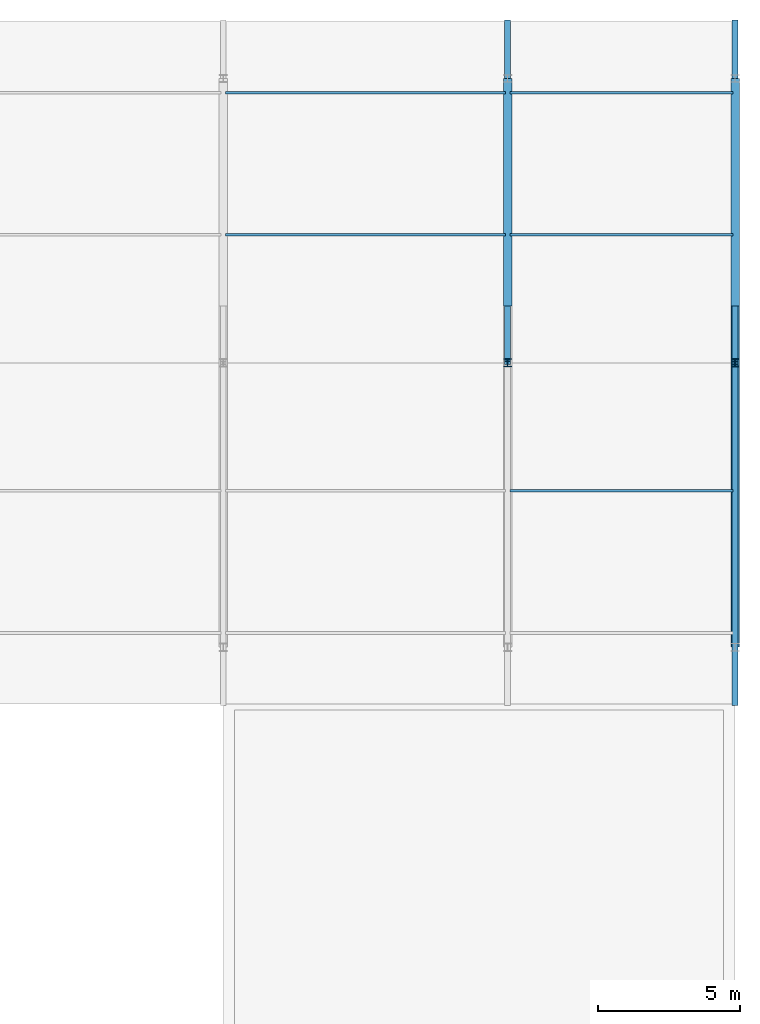
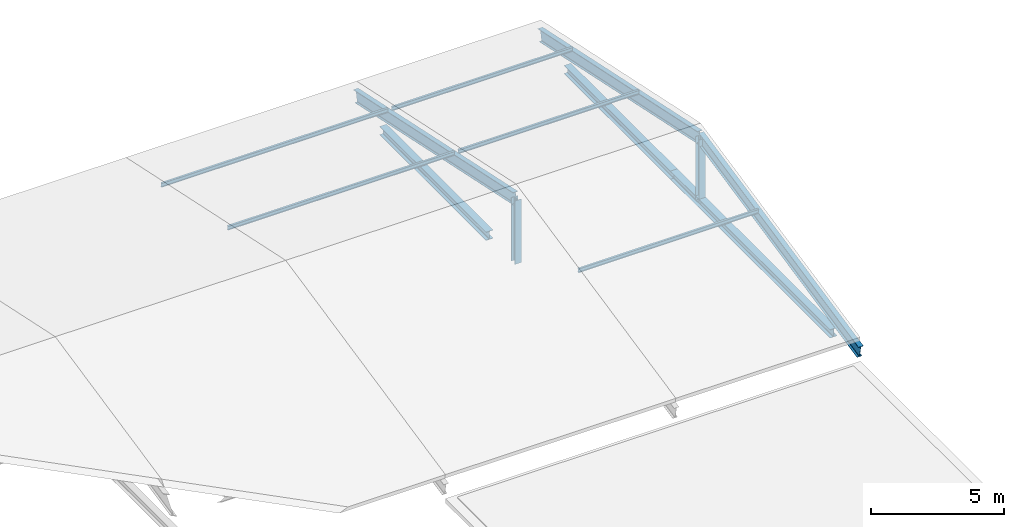
# One storey, part 4 of 10: 7 members, 6 beams.
"""IFC4 building model written with IfcOpenShell, lengths in metres."""

from ifc_helpers import new_model, si_unit, direction, frame, origin, origin_2d, place, context, subcontext, project, spatial, i_section, extrude, material, material_profile, profile_set, type_object, element, save


model = new_model("IFC4")

# Units and contexts
model_context = context("Model", 3, precision=1e-05, world=origin(), true_north=direction((0.0, 1.0)))
body_context = subcontext(model_context, "Body", "Model", "MODEL_VIEW")
ifc_project = project(units=[si_unit("LENGTHUNIT", "METRE"), si_unit("AREAUNIT", "SQUARE_METRE"), si_unit("VOLUMEUNIT", "CUBIC_METRE"), si_unit("PLANEANGLEUNIT", "RADIAN"), si_unit("MASSUNIT", "GRAM", prefix="KILO")], contexts=[model_context])

# Site, building, storey
site_placement = place(None, origin())
site = spatial("IfcSite", under=ifc_project, at=site_placement, CompositionType="ELEMENT")
building_placement = place(site_placement, origin())
building = spatial("IfcBuilding", under=site, at=building_placement, Name="Kivolera Central Railway Station", CompositionType="ELEMENT")
storey_placement = place(building_placement, frame((0.0, 0.0, 31.199951171875)))
storey = spatial("IfcBuildingStorey", under=building, at=storey_placement, Name="Roof", CompositionType="ELEMENT", Elevation=31.199951171875)

# Beams
ifc_material = material(Name="Steel S355", Category="steel")
ifc_material_profile_1 = material_profile(ifc_material, i_section(OverallWidth=0.2099609375, OverallDepth=0.550048828125, WebThickness=0.010986328125, FlangeThickness=0.01708984375, FilletRadius=0.02392578125, at=origin_2d()), Name="IPE 550")
ifc_profile_set_1 = profile_set([ifc_material_profile_1], Name="Steel S355")
beam_type_1 = type_object("IfcBeamType", Name="BM-ROOF-WNG", PredefinedType="BEAM", material=ifc_profile_set_1)
for number, where, z_axis, x_axis, name in (
    (1, (188.0, 124.0, 2.989013671875), (0.0, 0.97814185396, -0.207938725424), (-1.0, 0.0, 0.0), "Wing Monsoon Roof North Rafter 8"),
    (2, (196.0, 112.0, 0.43798828125), (0.0, 0.97814185396, 0.207938725424), (-1.0, 0.0, 0.0), "Wing Monsoon Roof South Rafter 9"),
    (3, (196.0, 124.0, 2.989013671875), (0.0, 0.97814185396, -0.207938725424), (-1.0, 0.0, 0.0), "Wing Monsoon Roof North Rafter 9"),
):
    element("IfcBeam", number, at=place(storey_placement, frame(where, z_axis=z_axis, x_axis=x_axis)), inside=storey, type_object=beam_type_1, Name=name, PredefinedType="BEAM", context=body_context, shape_type="SweptSolid", body=[
        extrude(i_section(OverallWidth=0.2099609375, OverallDepth=0.550048828125, WebThickness=0.010986328125, FlangeThickness=0.01708984375, FilletRadius=0.02392578125, at=origin_2d()), origin(), (0.0, 0.0, 1.0), 12.26806640625),
    ])
ifc_material_profile_2 = material_profile(ifc_material, i_section(OverallWidth=0.300048828125, OverallDepth=0.389892578125, WebThickness=0.010986328125, FlangeThickness=0.01904296875, FilletRadius=0.027099609375, at=origin_2d()), Name="HEA 400")
ifc_profile_set_2 = profile_set([ifc_material_profile_2], Name="Steel S355")
beam_type_2 = type_object("IfcBeamType", Name="BM-SHD-HEA400", PredefinedType="BEAM", material=ifc_profile_set_2)
beam_1_placement = place(storey_placement, frame((188.0, 126.0, 0.090087890625), z_axis=(0.0, 1.0, 0.0), x_axis=(-1.0, 0.0, 0.0)))
element("IfcBeam", 4, at=beam_1_placement, inside=storey, type_object=beam_type_2, Name="Wing Monsoon Roof Tie Beam North 8", PredefinedType="BEAM", context=body_context, shape_type="SweptSolid", body=[
    extrude(i_section(OverallWidth=0.300048828125, OverallDepth=0.389892578125, WebThickness=0.010986328125, FlangeThickness=0.01904296875, FilletRadius=0.027099609375, at=origin_2d()), origin(), (0.0, 0.0, 1.0), 8.0),
])
beam_2_placement = place(storey_placement, frame((196.0, 114.0, 0.090087890625), z_axis=(0.0, 1.0, 0.0), x_axis=(-1.0, 0.0, 0.0)))
element("IfcBeam", 5, at=beam_2_placement, inside=storey, type_object=beam_type_2, Name="Wing Monsoon Roof Tie Beam South 9", PredefinedType="BEAM", context=body_context, shape_type="SweptSolid", body=[
    extrude(i_section(OverallWidth=0.300048828125, OverallDepth=0.389892578125, WebThickness=0.010986328125, FlangeThickness=0.01904296875, FilletRadius=0.027099609375, at=origin_2d()), origin(), (0.0, 0.0, 1.0), 12.0),
])
beam_3_placement = place(storey_placement, frame((196.0, 126.0, 0.090087890625), z_axis=(0.0, 1.0, 0.0), x_axis=(-1.0, 0.0, 0.0)))
element("IfcBeam", 6, at=beam_3_placement, inside=storey, type_object=beam_type_2, Name="Wing Monsoon Roof Tie Beam North 9", PredefinedType="BEAM", context=body_context, shape_type="SweptSolid", body=[
    extrude(i_section(OverallWidth=0.300048828125, OverallDepth=0.389892578125, WebThickness=0.010986328125, FlangeThickness=0.01904296875, FilletRadius=0.027099609375, at=origin_2d()), origin(), (0.0, 0.0, 1.0), 8.0),
])

# Members
ifc_material_profile_3 = material_profile(ifc_material, i_section(OverallWidth=0.091064453125, OverallDepth=0.179931640625, WebThickness=0.00537109375, FlangeThickness=0.008056640625, FilletRadius=0.009033203125, at=origin_2d()), Name="IPE 180")
ifc_profile_set_3 = profile_set([ifc_material_profile_3], Name="Steel S355")
member_type_1 = type_object("IfcMemberType", Name="MEM-PUR-IPE180", PredefinedType="PURLIN", material=ifc_profile_set_3)
for number, where, z_axis, x_axis, name in (
    (7, (178.080078125, 128.5, 2.38916015625), (1.0, 0.0, 0.0), (0.0, 1.0, 0.0), "Wing Monsoon Roof Purlin 7.3"),
    (8, (178.080078125, 133.5, 1.325927734375), (1.0, 0.0, 0.0), (0.0, 1.0, 0.0), "Wing Monsoon Roof Purlin 7.4"),
):
    element("IfcMember", number, at=place(storey_placement, frame(where, z_axis=z_axis, x_axis=x_axis)), inside=storey, type_object=member_type_1, Name=name, PredefinedType="PURLIN", context=body_context, shape_type="SweptSolid", body=[
        extrude(i_section(OverallWidth=0.091064453125, OverallDepth=0.179931640625, WebThickness=0.00537109375, FlangeThickness=0.008056640625, FilletRadius=0.009033203125, at=origin_2d()), origin(), (0.0, 0.0, 1.0), 9.83984375),
    ])
for number, where, z_axis, x_axis, name in (
    (9, (188.080078125, 119.5, 2.38916015625), (1.0, 0.0, 0.0), (0.0, 1.0, 0.0), "Wing Monsoon Roof Purlin 8.2"),
    (10, (188.080078125, 128.5, 2.38916015625), (1.0, 0.0, 0.0), (0.0, 1.0, 0.0), "Wing Monsoon Roof Purlin 8.3"),
    (11, (188.080078125, 133.5, 1.325927734375), (1.0, 0.0, 0.0), (0.0, 1.0, 0.0), "Wing Monsoon Roof Purlin 8.4"),
):
    element("IfcMember", number, at=place(storey_placement, frame(where, z_axis=z_axis, x_axis=x_axis)), inside=storey, type_object=member_type_1, Name=name, PredefinedType="PURLIN", context=body_context, shape_type="SweptSolid", body=[
        extrude(i_section(OverallWidth=0.091064453125, OverallDepth=0.179931640625, WebThickness=0.00537109375, FlangeThickness=0.008056640625, FilletRadius=0.009033203125, at=origin_2d()), origin(), (0.0, 0.0, 1.0), 7.83984375),
    ])
ifc_material_profile_4 = material_profile(ifc_material, i_section(OverallWidth=0.280029296875, OverallDepth=0.280029296875, WebThickness=0.010498046875, FlangeThickness=0.01806640625, FilletRadius=0.02392578125, at=origin_2d()), Name="HEB 280")
ifc_profile_set_4 = profile_set([ifc_material_profile_4], Name="Steel S355")
member_type_2 = type_object("IfcMemberType", Name="MEM-RAF-HEB280", PredefinedType="STRUT", material=ifc_profile_set_4)
for number, where, z_axis, x_axis, name in (
    (12, (188.0, 124.0, 0.090087890625), (0.0, 0.0, 1.0), (1.0, 0.0, 0.0), "Roof Monsoon Truss Post 8-R"),
    (13, (196.0, 124.0, 0.090087890625), (0.0, 0.0, 1.0), (1.0, 0.0, 0.0), "Roof Monsoon Truss Post 9-R"),
):
    element("IfcMember", number, at=place(storey_placement, frame(where, z_axis=z_axis, x_axis=x_axis)), inside=storey, type_object=member_type_2, Name=name, PredefinedType="STRUT", context=body_context, shape_type="SweptSolid", body=[
        extrude(i_section(OverallWidth=0.280029296875, OverallDepth=0.280029296875, WebThickness=0.010498046875, FlangeThickness=0.01806640625, FilletRadius=0.02392578125, at=origin_2d()), origin(), (0.0, 0.0, 1.0), 2.909912109375),
    ])

save(model, "model.ifc")
